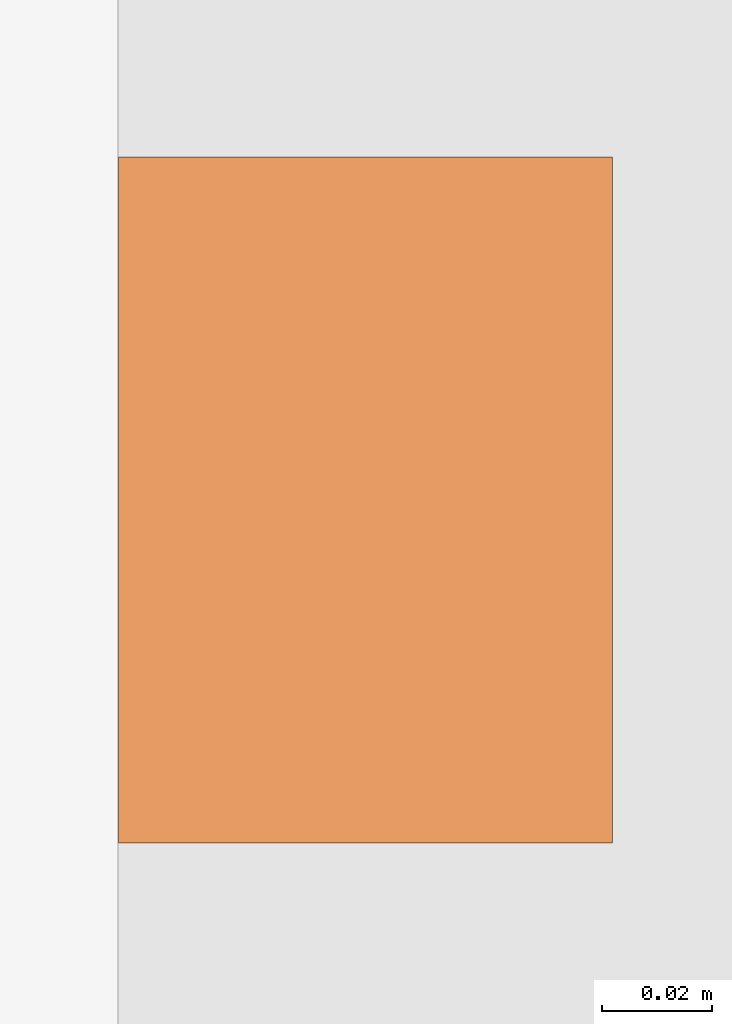
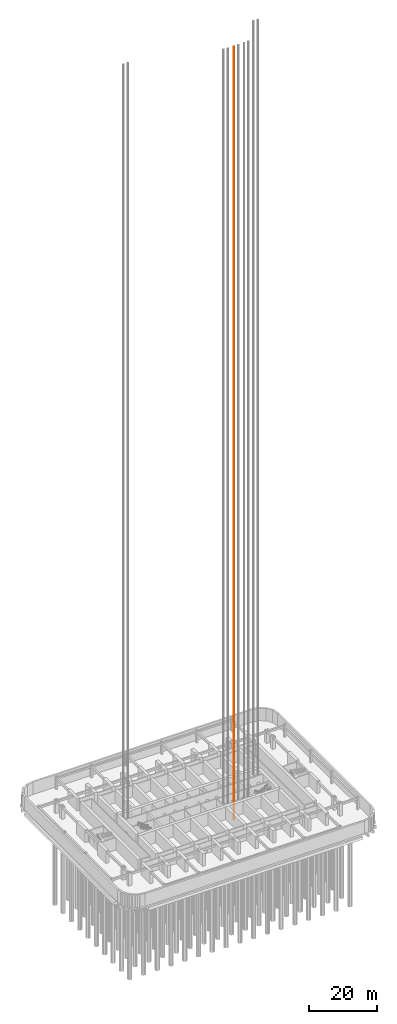
# One storey, part 21 of 28: 1 proxy.
"""IFC4 building model written with IfcOpenShell, lengths in metres."""

from ifc_helpers import new_model, si_unit, direction, frame, origin, origin_2d, place, context, subcontext, project, spatial, rectangle, extrude, material, element, save


model = new_model("IFC4")

# Units and contexts
model_context = context("Model", 3, precision=1e-05, world=origin(), true_north=direction((0.0, 1.0)))
body_context = subcontext(model_context, "Body", "Model", "MODEL_VIEW")
ifc_project = project(units=[si_unit("LENGTHUNIT", "METRE"), si_unit("AREAUNIT", "SQUARE_METRE"), si_unit("VOLUMEUNIT", "CUBIC_METRE"), si_unit("PLANEANGLEUNIT", "RADIAN"), si_unit("MASSUNIT", "GRAM", prefix="KILO")], contexts=[model_context])

# Site, building, storey
site_placement = place(None, origin())
site = spatial("IfcSite", under=ifc_project, at=site_placement, CompositionType="ELEMENT")
building_placement = place(site_placement, origin())
building = spatial("IfcBuilding", under=site, at=building_placement, Name="Orbita Commons", CompositionType="ELEMENT")
storey_placement = place(building_placement, frame((0.0, 0.0, -9.0)))
storey = spatial("IfcBuildingStorey", under=building, at=storey_placement, Name="L-02", CompositionType="ELEMENT", Elevation=-9.0)

# Proxy
ifc_material = material(Name="Machined steel guide rail", Category="steel")
placement = place(storey_placement, frame((52.699951171875, 28.10009765625, 0.0), z_axis=(0.0, 0.0, 1.0), x_axis=(1.0, 0.0, 0.0)))
proxy_placement = place(placement, frame((-0.7548828125, 0.0, -3.199951171875)))
element("IfcBuildingElementProxy", 1, at=proxy_placement, inside=storey, material=ifc_material, Name="SV2 guide rail 1", ObjectType="GUIDE RAIL", PredefinedType="USERDEFINED", context=body_context, shape_type="SweptSolid", body=[
    extrude(rectangle(XDim=0.09, YDim=0.125, at=origin_2d()), origin(), (0.0, 0.0, 1.0), 279.0),
])

save(model, "model.ifc")
